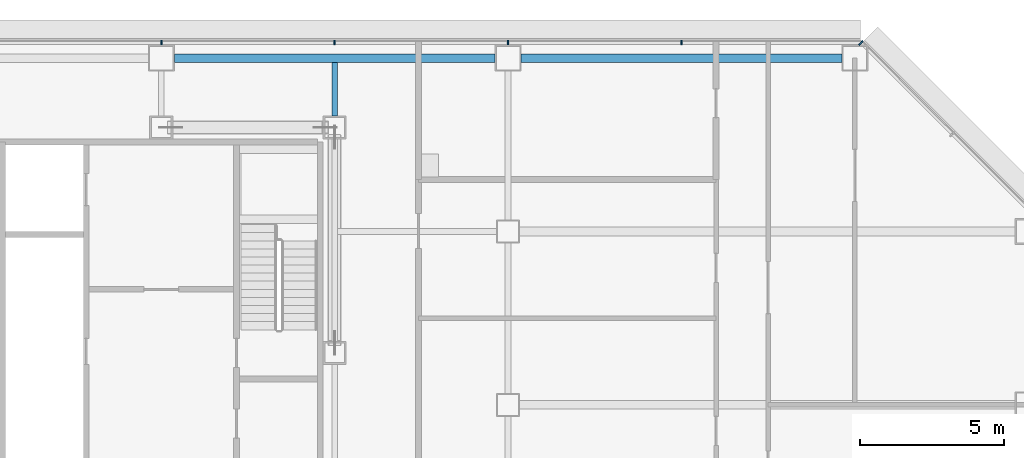
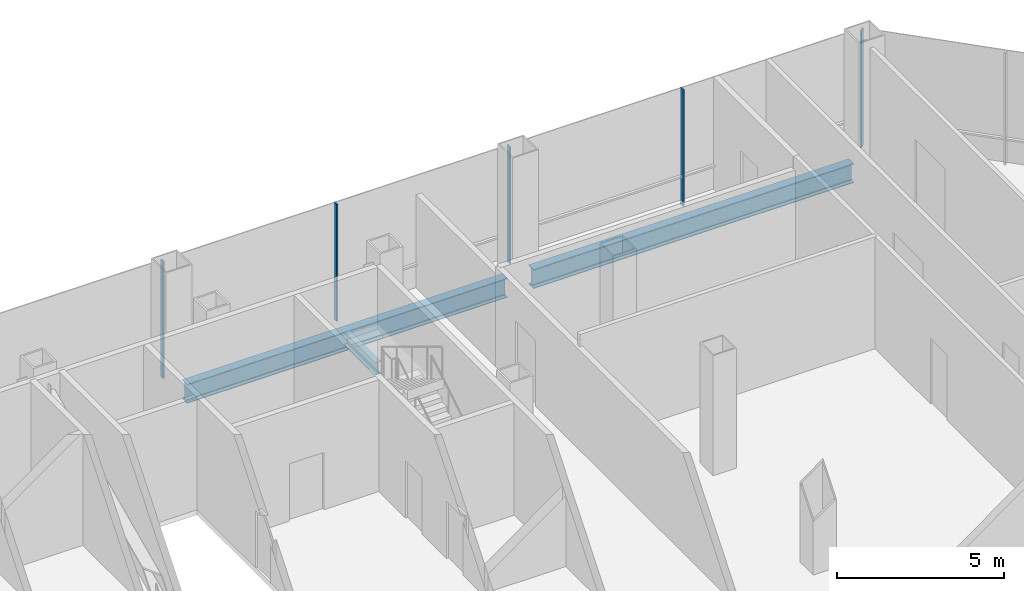
# One storey, part 15 of 27: 5 members, 3 beams, 2 elements without a shape of their own.
"""IFC4 building model written with IfcOpenShell, lengths in metres."""

from ifc_helpers import new_model, si_unit, direction, frame, origin, origin_2d, place, context, subcontext, project, spatial, rectangle, i_section, extrude, material, material_profile, profile_set, type_object, element, aggregate, save


model = new_model("IFC4")

# Units and contexts
model_context = context("Model", 3, precision=1e-05, world=origin(), true_north=direction((0.0, 1.0)))
body_context = subcontext(model_context, "Body", "Model", "MODEL_VIEW")
ifc_project = project(units=[si_unit("LENGTHUNIT", "METRE"), si_unit("AREAUNIT", "SQUARE_METRE"), si_unit("VOLUMEUNIT", "CUBIC_METRE"), si_unit("PLANEANGLEUNIT", "RADIAN"), si_unit("MASSUNIT", "GRAM", prefix="KILO")], contexts=[model_context])

# Site, building, storey
site_placement = place(None, origin())
site = spatial("IfcSite", under=ifc_project, at=site_placement, CompositionType="ELEMENT")
building_placement = place(site_placement, origin())
building = spatial("IfcBuilding", under=site, at=building_placement, Name="Sorahane Residences", CompositionType="ELEMENT")
storey_placement = place(building_placement, frame((0.0, 0.0, 85.800048828125)))
storey = spatial("IfcBuildingStorey", under=building, at=storey_placement, Name="L18", CompositionType="ELEMENT", Elevation=85.800048828125)

# Curtain wall, members
ifc_material_1 = material(Name="Dark low-e glass and black anodised aluminium", Category="aluminium")
curtain_wall_type_1 = type_object("IfcCurtainWallType", Name="Curtain wall CW-1 Typical unitised wall", PredefinedType="NOTDEFINED", material=ifc_material_1)
curtain_wall_1_placement = place(storey_placement, origin())
curtain_wall_1 = element("IfcCurtainWall", 1, at=curtain_wall_1_placement, inside=storey, type_object=curtain_wall_type_1, Name="CW-1 curtain wall L18 N1", PredefinedType="NOTDEFINED")
ifc_material_2 = material(Name="Black anodised aluminium", Category="aluminium")
ifc_material_profile_1 = material_profile(ifc_material_2, rectangle(XDim=0.159912109375, YDim=0.050048828125, at=origin_2d()), Name="Curtain wall mullion CW-1 black anodised aluminium 50x160")
ifc_profile_set_1 = profile_set([ifc_material_profile_1], Name="Black anodised aluminium")
member_type_1 = type_object("IfcMemberType", Name="Curtain wall mullion CW-1 black anodised aluminium 50x160", PredefinedType="MULLION", material=ifc_profile_set_1)
member_1_placement = place(storey_placement, frame((54.0, 48.5400390625, -0.179931640625), z_axis=(0.0, 0.0, 1.0), x_axis=(0.0, 1.0, 0.0)))
member_1 = element("IfcMember", 2, at=member_1_placement, type_object=member_type_1, Name="CW-1 mullion L18 N1.2", PredefinedType="MULLION", context=body_context, shape_type="SweptSolid", body=[
    extrude(rectangle(XDim=0.159912109375, YDim=0.050048828125, at=origin_2d()), origin(), (0.0, 0.0, 1.0), 4.27978515625),
])
member_2_placement = place(storey_placement, frame((48.0, 48.5400390625, -0.179931640625), z_axis=(0.0, 0.0, 1.0), x_axis=(0.0, 1.0, 0.0)))
member_2 = element("IfcMember", 3, at=member_2_placement, type_object=member_type_1, Name="CW-1 mullion L18 N1.3", PredefinedType="MULLION", context=body_context, shape_type="SweptSolid", body=[
    extrude(rectangle(XDim=0.159912109375, YDim=0.050048828125, at=origin_2d()), origin(), (0.0, 0.0, 1.0), 4.27978515625),
])
member_3_placement = place(storey_placement, frame((42.0, 48.5400390625, -0.179931640625), z_axis=(0.0, 0.0, 1.0), x_axis=(0.0, 1.0, 0.0)))
member_3 = element("IfcMember", 4, at=member_3_placement, type_object=member_type_1, Name="CW-1 mullion L18 N1.4", PredefinedType="MULLION", context=body_context, shape_type="SweptSolid", body=[
    extrude(rectangle(XDim=0.159912109375, YDim=0.050048828125, at=origin_2d()), origin(), (0.0, 0.0, 1.0), 4.27978515625),
])
member_4_placement = place(storey_placement, frame((36.0, 48.5400390625, -0.179931640625), z_axis=(0.0, 0.0, 1.0), x_axis=(0.0, 1.0, 0.0)))
member_4 = element("IfcMember", 5, at=member_4_placement, type_object=member_type_1, Name="CW-1 mullion L18 N1.5", PredefinedType="MULLION", context=body_context, shape_type="SweptSolid", body=[
    extrude(rectangle(XDim=0.159912109375, YDim=0.050048828125, at=origin_2d()), origin(), (0.0, 0.0, 1.0), 4.27978515625),
])
aggregate(curtain_wall_1, [member_1, member_2, member_3, member_4])

# Curtain wall, member
ifc_material_3 = material(Name="Dark low-e glass and black anodised aluminium", Category="aluminium")
curtain_wall_type_2 = type_object("IfcCurtainWallType", Name="Curtain wall CW-2 Chamfer unitised wall", PredefinedType="NOTDEFINED", material=ifc_material_3)
curtain_wall_2_placement = place(storey_placement, origin())
curtain_wall_2 = element("IfcCurtainWall", 6, at=curtain_wall_2_placement, inside=storey, type_object=curtain_wall_type_2, Name="CW-2 curtain wall L18 NE1", PredefinedType="NOTDEFINED")
ifc_material_4 = material(Name="Black anodised aluminium", Category="aluminium")
ifc_material_profile_2 = material_profile(ifc_material_4, rectangle(XDim=0.199951171875, YDim=0.050048828125, at=origin_2d()), Name="Curtain wall mullion CW-2 black anodised aluminium 50x200")
ifc_profile_set_2 = profile_set([ifc_material_profile_2], Name="Black anodised aluminium")
member_type_2 = type_object("IfcMemberType", Name="Curtain wall mullion CW-2 black anodised aluminium 50x200", PredefinedType="MULLION", material=ifc_profile_set_2)
member_5_placement = place(storey_placement, frame((60.209716796875, 48.525634765625, -0.179931640625), z_axis=(0.0, 0.0, 1.0), x_axis=(0.707106781187, 0.707106781187, 0.0)))
member_5 = element("IfcMember", 7, at=member_5_placement, type_object=member_type_2, Name="CW-2 mullion L18 NE1.3", PredefinedType="MULLION", context=body_context, shape_type="SweptSolid", body=[
    extrude(rectangle(XDim=0.199951171875, YDim=0.050048828125, at=origin_2d()), origin(), (0.0, 0.0, 1.0), 4.27978515625),
])
aggregate(curtain_wall_2, [member_5])

# Beams
ifc_material_5 = material(Name="Steel Q355B", Category="steel")
ifc_material_profile_3 = material_profile(ifc_material_5, i_section(OverallWidth=0.199951171875, OverallDepth=0.449951171875, WebThickness=0.009033203125, FlangeThickness=0.013916015625, FilletRadius=0.02001953125, at=origin_2d()), Name="HN 450x200x9x14")
ifc_profile_set_3 = profile_set([ifc_material_profile_3], Name="Steel Q355B")
beam_type_1 = type_object("IfcBeamType", Name="Steel floor beam HN 450x200x9x14 Q355B", PredefinedType="BEAM", material=ifc_profile_set_3)
beam_placement = place(storey_placement, frame((42.0, 46.0, -0.405029296875), z_axis=(0.0, 1.0, 0.0), x_axis=(-1.0, 0.0, 0.0)))
element("IfcBeam", 8, at=beam_placement, inside=storey, type_object=beam_type_1, Name="Beam L18 050", PredefinedType="BEAM", context=body_context, shape_type="SweptSolid", body=[
    extrude(i_section(OverallWidth=0.199951171875, OverallDepth=0.449951171875, WebThickness=0.009033203125, FlangeThickness=0.013916015625, FilletRadius=0.02001953125, at=origin_2d()), origin(), (0.0, 0.0, 1.0), 1.85009765625),
])
ifc_material_6 = material(Name="Steel Q355B", Category="steel")
ifc_material_profile_4 = material_profile(ifc_material_6, i_section(OverallWidth=0.300048828125, OverallDepth=0.699951171875, WebThickness=0.012939453125, FlangeThickness=0.02392578125, FilletRadius=0.028076171875, at=origin_2d()), Name="HN 700x300x13x24")
ifc_profile_set_4 = profile_set([ifc_material_profile_4], Name="Steel Q355B")
beam_type_2 = type_object("IfcBeamType", Name="Steel floor beam HN 700x300x13x24 Q355B", PredefinedType="BEAM", material=ifc_profile_set_4)
for number, where, z_axis, x_axis, name in (
    (9, (36.449951171875, 48.0, -0.530029296875), (1.0, 0.0, 0.0), (0.0, 1.0, 0.0), "Beam L18 015"),
    (10, (48.449951171875, 48.0, -0.530029296875), (1.0, 0.0, 0.0), (0.0, 1.0, 0.0), "Beam L18 016"),
):
    element("IfcBeam", number, at=place(storey_placement, frame(where, z_axis=z_axis, x_axis=x_axis)), inside=storey, type_object=beam_type_2, Name=name, PredefinedType="BEAM", context=body_context, shape_type="SweptSolid", body=[
        extrude(i_section(OverallWidth=0.300048828125, OverallDepth=0.699951171875, WebThickness=0.012939453125, FlangeThickness=0.02392578125, FilletRadius=0.028076171875, at=origin_2d()), origin(), (0.0, 0.0, 1.0), 11.10009765625),
    ])

save(model, "model.ifc")
